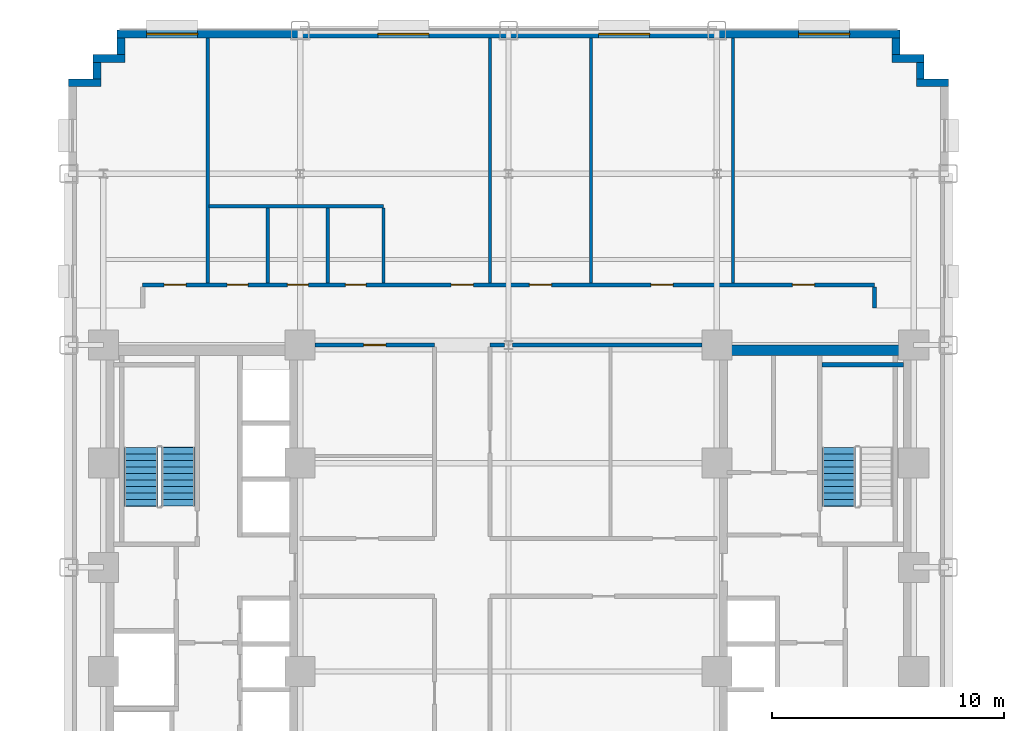
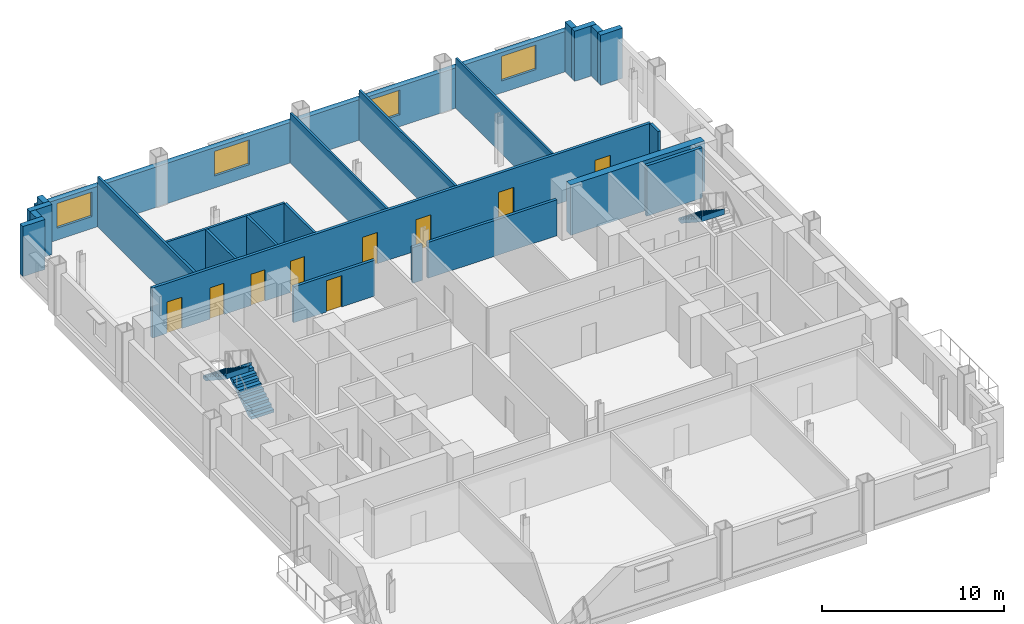
# One storey, part 7 of 12: 24 walls, 9 doors, 4 windows, 3 stair flights, 13 openings, 2 elements without a shape of their own.
"""IFC4 building model written with IfcOpenShell, lengths in metres."""

from ifc_helpers import new_model, si_unit, direction, frame, frame_2d, origin, place, context, subcontext, project, spatial, polyline, rectangle, outline, extrude, source, transform, mapped, material, layer, layer_set, type_object, type_shapes, element, fill, aggregate, save


model = new_model("IFC4")

# Units and contexts
model_context = context("Model", 3, precision=1e-05, world=origin(), true_north=direction((0.0, 1.0)))
body_context = subcontext(model_context, "Body", "Model", "MODEL_VIEW")
ifc_project = project(units=[si_unit("LENGTHUNIT", "METRE"), si_unit("AREAUNIT", "SQUARE_METRE"), si_unit("VOLUMEUNIT", "CUBIC_METRE"), si_unit("PLANEANGLEUNIT", "RADIAN"), si_unit("MASSUNIT", "GRAM", prefix="KILO")], contexts=[model_context])

# Site, building, storey
site_placement = place(None, origin())
site = spatial("IfcSite", under=ifc_project, at=site_placement, CompositionType="ELEMENT")
building_placement = place(site_placement, origin())
building = spatial("IfcBuilding", under=site, at=building_placement, Name="Nuvemarco Arch Tower", CompositionType="ELEMENT")
storey_placement = place(building_placement, frame((0.0, 0.0, 45.85009765625)))
storey = spatial("IfcBuildingStorey", under=building, at=storey_placement, Name="L11", CompositionType="ELEMENT", Elevation=45.85009765625)

# Walls
ifc_material_1 = material(Name="Precast concrete C45/55", Category="concrete")
ifc_layer_1 = layer(ifc_material_1, 0.340087890625, Name="EW-LOW-340")
ifc_layer_set_1 = layer_set([ifc_layer_1], Name="Precast concrete C45/55")
wall_type_1 = type_object("IfcWallType", Name="EW-LOW-340", PredefinedType="STANDARD", material=ifc_layer_set_1)
wall_1_placement = place(storey_placement, frame((17.610107421875, 20.929931640625, 0.0), z_axis=(0.0, 0.0, 1.0), x_axis=(1.0, 0.0, 0.0)))
element("IfcWall", 1, at=wall_1_placement, inside=storey, type_object=wall_type_1, Name="L11 exterior precast facade wall 7", PredefinedType="STANDARD", context=body_context, shape_type="SweptSolid", body=[
    extrude(rectangle(XDim=1.389892578125, YDim=0.340087890625, at=frame_2d((0.69482421875, 0.0))), origin(), (0.0, 0.0, 1.0), 3.35986328125),
])
wall_2_placement = place(storey_placement, frame((17.780029296875, 21.095947265625, 0.0), z_axis=(0.0, 0.0, 1.0), x_axis=(0.0, 1.0, 0.0)))
element("IfcWall", 2, at=wall_2_placement, inside=storey, type_object=wall_type_1, Name="L11 exterior precast facade wall 8", PredefinedType="STANDARD", context=body_context, shape_type="SweptSolid", body=[
    extrude(rectangle(XDim=0.718017578125, YDim=0.340087890625, at=frame_2d((0.35888671875, 0.0))), origin(), (0.0, 0.0, 1.0), 3.35986328125),
])
wall_3_placement = place(storey_placement, frame((16.56005859375, 21.97998046875, 0.0), z_axis=(0.0, 0.0, 1.0), x_axis=(1.0, 0.0, 0.0)))
element("IfcWall", 3, at=wall_3_placement, inside=storey, type_object=wall_type_1, Name="L11 exterior precast facade wall 9", PredefinedType="STANDARD", context=body_context, shape_type="SweptSolid", body=[
    extrude(rectangle(XDim=1.389892578125, YDim=0.340087890625, at=frame_2d((0.69482421875, 0.0))), origin(), (0.0, 0.0, 1.0), 3.35986328125),
])
wall_4_placement = place(storey_placement, frame((16.72998046875, 22.14599609375, 0.0), z_axis=(0.0, 0.0, 1.0), x_axis=(0.0, 1.0, 0.0)))
element("IfcWall", 4, at=wall_4_placement, inside=storey, type_object=wall_type_1, Name="L11 exterior precast facade wall 10", PredefinedType="STANDARD", context=body_context, shape_type="SweptSolid", body=[
    extrude(rectangle(XDim=0.718017578125, YDim=0.340087890625, at=frame_2d((0.35888671875, 0.0))), origin(), (0.0, 0.0, 1.0), 3.35986328125),
])

# Wall, openings, windows
wall_5_placement = place(storey_placement, frame((-16.89990234375, 23.030029296875, 0.0), z_axis=(0.0, 0.0, 1.0), x_axis=(1.0, 0.0, 0.0)))
wall_5 = element("IfcWall", 5, at=wall_5_placement, inside=storey, type_object=wall_type_1, Name="L11 exterior precast facade wall 11", PredefinedType="STANDARD", context=body_context, shape_type="SweptSolid", body=[
    extrude(rectangle(XDim=33.7998046875, YDim=0.340087890625, at=frame_2d((16.89990234375, 0.0))), origin(), (0.0, 0.0, 1.0), 2.704833984375),
])
opening_1_placement = place(wall_5_placement, frame((1.271484375, 0.0, 0.800048828125)))
opening_1 = element("IfcOpeningElement", 6, at=opening_1_placement, cuts=wall_5, Name="Opening WN-3", PredefinedType="OPENING", context=body_context, shape_type="SweptSolid", body=[
    extrude(rectangle(XDim=2.199951171875, YDim=1.64990234375, at=frame_2d((1.10009765625, 0.824951171875))), frame((0.0, 0.179931640625, 0.0), z_axis=(0.0, -1.0, 0.0), x_axis=(1.0, 0.0, 0.0)), (0.0, 0.0, 1.0), 0.360107421875),
])
opening_2_placement = place(wall_5_placement, frame((11.257080078125, 0.0, 0.800048828125)))
opening_2 = element("IfcOpeningElement", 7, at=opening_2_placement, cuts=wall_5, Name="Opening WN-3", PredefinedType="OPENING", context=body_context, shape_type="SweptSolid", body=[
    extrude(rectangle(XDim=2.199951171875, YDim=1.64990234375, at=frame_2d((1.10009765625, 0.824951171875))), frame((0.0, 0.179931640625, 0.0), z_axis=(0.0, -1.0, 0.0), x_axis=(1.0, 0.0, 0.0)), (0.0, 0.0, 1.0), 0.360107421875),
])
opening_3_placement = place(wall_5_placement, frame((20.79296875, 0.0, 0.800048828125)))
opening_3 = element("IfcOpeningElement", 8, at=opening_3_placement, cuts=wall_5, Name="Opening WN-3", PredefinedType="OPENING", context=body_context, shape_type="SweptSolid", body=[
    extrude(rectangle(XDim=2.199951171875, YDim=1.64990234375, at=frame_2d((1.10009765625, 0.824951171875))), frame((0.0, 0.179931640625, 0.0), z_axis=(0.0, -1.0, 0.0), x_axis=(1.0, 0.0, 0.0)), (0.0, 0.0, 1.0), 0.360107421875),
])
opening_4_placement = place(wall_5_placement, frame((29.4287109375, 0.0, 0.800048828125)))
opening_4 = element("IfcOpeningElement", 9, at=opening_4_placement, cuts=wall_5, Name="Opening WN-3", PredefinedType="OPENING", context=body_context, shape_type="SweptSolid", body=[
    extrude(rectangle(XDim=2.199951171875, YDim=1.64990234375, at=frame_2d((1.10009765625, 0.824951171875))), frame((0.0, 0.179931640625, 0.0), z_axis=(0.0, -1.0, 0.0), x_axis=(1.0, 0.0, 0.0)), (0.0, 0.0, 1.0), 0.360107421875),
])
ifc_material_2 = material(Name="Insulated solar-control glass", Category="glass")
window_type = type_object("IfcWindowType", Name="WN-LOW-2200x1650", PartitioningType="DOUBLE_PANEL_VERTICAL", PredefinedType="WINDOW", material=ifc_material_2)
shared_shape_1 = source(origin(), body_context, "Body", "SweptSolid", [
    extrude(rectangle(XDim=2.199951171875, YDim=1.64990234375, at=frame_2d((1.10009765625, 0.824951171875))), frame((0.0, 0.030029296875, 0.0), z_axis=(0.0, -1.0, 0.0), x_axis=(1.0, 0.0, 0.0)), (0.0, 0.0, 1.0), 0.06005859375),
])
type_shapes(window_type, [shared_shape_1])
window_1_placement = place(opening_1_placement, origin())
window_1 = element("IfcWindow", 10, at=window_1_placement, inside=storey, type_object=window_type, Name="L11 punched facade window 1", OverallHeight=1.64990234375, OverallWidth=2.199951171875, PartitioningType="SINGLE_PANEL", PredefinedType="WINDOW", context=body_context, shape_type="MappedRepresentation", body=[
    mapped(shared_shape_1, transform((0.0, 0.0, 0.0), scale=1.0)),
])
fill(opening_1, window_1)
window_2_placement = place(opening_2_placement, origin())
window_2 = element("IfcWindow", 11, at=window_2_placement, inside=storey, type_object=window_type, Name="L11 punched facade window 3", OverallHeight=1.64990234375, OverallWidth=2.199951171875, PartitioningType="SINGLE_PANEL", PredefinedType="WINDOW", context=body_context, shape_type="MappedRepresentation", body=[
    mapped(shared_shape_1, transform((0.0, 0.0, 0.0), scale=1.0)),
])
fill(opening_2, window_2)
window_3_placement = place(opening_3_placement, origin())
window_3 = element("IfcWindow", 12, at=window_3_placement, inside=storey, type_object=window_type, Name="L11 punched facade window 5", OverallHeight=1.64990234375, OverallWidth=2.199951171875, PartitioningType="SINGLE_PANEL", PredefinedType="WINDOW", context=body_context, shape_type="MappedRepresentation", body=[
    mapped(shared_shape_1, transform((0.0, 0.0, 0.0), scale=1.0)),
])
fill(opening_3, window_3)
window_4_placement = place(opening_4_placement, origin())
window_4 = element("IfcWindow", 13, at=window_4_placement, inside=storey, type_object=window_type, Name="L11 punched facade window 7", OverallHeight=1.64990234375, OverallWidth=2.199951171875, PartitioningType="SINGLE_PANEL", PredefinedType="WINDOW", context=body_context, shape_type="MappedRepresentation", body=[
    mapped(shared_shape_1, transform((0.0, 0.0, 0.0), scale=1.0)),
])
fill(opening_4, window_4)

# Walls
wall_6_placement = place(storey_placement, frame((-16.72998046875, 22.14599609375, 0.0), z_axis=(0.0, 0.0, 1.0), x_axis=(0.0, 1.0, 0.0)))
element("IfcWall", 14, at=wall_6_placement, inside=storey, type_object=wall_type_1, Name="L11 exterior precast facade wall 12", PredefinedType="STANDARD", context=body_context, shape_type="SweptSolid", body=[
    extrude(rectangle(XDim=0.718017578125, YDim=0.340087890625, at=frame_2d((0.35888671875, 0.0))), origin(), (0.0, 0.0, 1.0), 3.35986328125),
])
wall_7_placement = place(storey_placement, frame((-17.949951171875, 21.97998046875, 0.0), z_axis=(0.0, 0.0, 1.0), x_axis=(1.0, 0.0, 0.0)))
element("IfcWall", 15, at=wall_7_placement, inside=storey, type_object=wall_type_1, Name="L11 exterior precast facade wall 13", PredefinedType="STANDARD", context=body_context, shape_type="SweptSolid", body=[
    extrude(rectangle(XDim=1.389892578125, YDim=0.340087890625, at=frame_2d((0.69482421875, 0.0))), origin(), (0.0, 0.0, 1.0), 3.35986328125),
])
wall_8_placement = place(storey_placement, frame((-17.780029296875, 21.095947265625, 0.0), z_axis=(0.0, 0.0, 1.0), x_axis=(0.0, 1.0, 0.0)))
element("IfcWall", 16, at=wall_8_placement, inside=storey, type_object=wall_type_1, Name="L11 exterior precast facade wall 14", PredefinedType="STANDARD", context=body_context, shape_type="SweptSolid", body=[
    extrude(rectangle(XDim=0.718017578125, YDim=0.340087890625, at=frame_2d((0.35888671875, 0.0))), origin(), (0.0, 0.0, 1.0), 3.35986328125),
])
wall_9_placement = place(storey_placement, frame((-19.0, 20.929931640625, 0.0), z_axis=(0.0, 0.0, 1.0), x_axis=(1.0, 0.0, 0.0)))
element("IfcWall", 17, at=wall_9_placement, inside=storey, type_object=wall_type_1, Name="L11 exterior precast facade wall 15", PredefinedType="STANDARD", context=body_context, shape_type="SweptSolid", body=[
    extrude(rectangle(XDim=1.389892578125, YDim=0.340087890625, at=frame_2d((0.69482421875, 0.0))), origin(), (0.0, 0.0, 1.0), 3.35986328125),
])
ifc_material_3 = material(Name="Concrete C60/75", Category="concrete")
ifc_layer_2 = layer(ifc_material_3, 0.449951171875, Name="WL-CORE-450")
ifc_layer_set_2 = layer_set([ifc_layer_2], Name="Concrete C60/75")
wall_type_2 = type_object("IfcWallType", Name="WL-CORE-450", PredefinedType="SHEAR", material=ifc_layer_set_2)
wall_10_placement = place(storey_placement, frame((9.0, 9.375, 0.0), z_axis=(0.0, 0.0, 1.0), x_axis=(1.0, 0.0, 0.0)))
element("IfcWall", 18, at=wall_10_placement, inside=storey, type_object=wall_type_2, Name="L11 E-core shear wall N", PredefinedType="SHEAR", context=body_context, shape_type="SweptSolid", body=[
    extrude(rectangle(XDim=8.5, YDim=0.449951171875, at=frame_2d((4.25, 0.0))), origin(), (0.0, 0.0, 1.0), 3.369873046875),
])

# Wall, opening, door
ifc_material_4 = material(Name="Fire-rated gypsum drywall partition")
ifc_layer_3 = layer(ifc_material_4, 0.179931640625, Name="WL-CORR-180")
ifc_layer_set_3 = layer_set([ifc_layer_3], Name="Fire-rated gypsum drywall partition")
wall_type_3 = type_object("IfcWallType", Name="WL-CORR-180", PredefinedType="PARTITIONING", material=ifc_layer_set_3)
wall_11_placement = place(storey_placement, frame((-8.35400390625, 9.60009765625, 0.0), z_axis=(0.0, 0.0, 1.0), x_axis=(1.0, 0.0, 0.0)))
wall_11 = element("IfcWall", 19, at=wall_11_placement, inside=storey, type_object=wall_type_3, Name="L11 interior wall IW-L11-010", PredefinedType="PARTITIONING", context=body_context, shape_type="SweptSolid", body=[
    extrude(rectangle(XDim=5.154052734375, YDim=0.179931640625, at=frame_2d((2.5771484375, 0.0))), origin(), (0.0, 0.0, 1.0), 2.40478515625),
])
opening_5_placement = place(wall_11_placement, frame((2.096923828125, 0.0, 0.0)))
opening_5 = element("IfcOpeningElement", 20, at=opening_5_placement, cuts=wall_11, Name="Opening FD-5", PredefinedType="OPENING", context=body_context, shape_type="SweptSolid", body=[
    extrude(rectangle(XDim=0.9599609375, YDim=2.10009765625, at=frame_2d((0.47998046875, 1.050048828125))), frame((0.0, 0.099853515625, 0.0), z_axis=(0.0, -1.0, 0.0), x_axis=(1.0, 0.0, 0.0)), (0.0, 0.0, 1.0), 0.199951171875),
])
ifc_material_5 = material(Name="Timber fire door", Category="wood")
door_type_1 = type_object("IfcDoorType", Name="DR-CORR-FD", OperationType="NOTDEFINED", PredefinedType="DOOR", material=ifc_material_5)
shared_shape_2 = source(origin(), body_context, "Body", "SweptSolid", [
    extrude(rectangle(XDim=0.9599609375, YDim=2.10009765625, at=frame_2d((0.47998046875, 1.050048828125))), frame((0.0, 0.02490234375, 0.0), z_axis=(0.0, -1.0, 0.0), x_axis=(1.0, 0.0, 0.0)), (0.0, 0.0, 1.0), 0.050048828125),
])
type_shapes(door_type_1, [shared_shape_2])
door_1_placement = place(opening_5_placement, origin())
door_1 = element("IfcDoor", 21, at=door_1_placement, inside=storey, type_object=door_type_1, Name="L11 door DR-L11-C_NW2", OperationType="SINGLE_SWING_LEFT", OverallHeight=2.10009765625, OverallWidth=0.9599609375, PredefinedType="DOOR", context=body_context, shape_type="MappedRepresentation", body=[
    mapped(shared_shape_2, transform((0.0, 0.0, 0.0), scale=1.0)),
])
fill(opening_5, door_1)

# Walls
wall_12_placement = place(storey_placement, frame((-0.800048828125, 9.60009765625, 0.0), z_axis=(0.0, 0.0, 1.0), x_axis=(1.0, 0.0, 0.0)))
element("IfcWall", 22, at=wall_12_placement, inside=storey, type_object=wall_type_3, Name="L11 interior wall IW-L11-011", PredefinedType="PARTITIONING", context=body_context, shape_type="SweptSolid", body=[
    extrude(rectangle(XDim=0.6240234375, YDim=0.179931640625, at=frame_2d((0.31201171875, 0.0))), origin(), (0.0, 0.0, 1.0), 2.40478515625),
])
wall_13_placement = place(storey_placement, frame((0.176025390625, 9.60009765625, 0.0), z_axis=(0.0, 0.0, 1.0), x_axis=(1.0, 0.0, 0.0)))
element("IfcWall", 23, at=wall_13_placement, inside=storey, type_object=wall_type_3, Name="L11 interior wall IW-L11-012", PredefinedType="PARTITIONING", context=body_context, shape_type="SweptSolid", body=[
    extrude(rectangle(XDim=8.177978515625, YDim=0.179931640625, at=frame_2d((4.0888671875, 0.0))), origin(), (0.0, 0.0, 1.0), 2.40478515625),
])

# Wall, openings, doors
wall_14_placement = place(storey_placement, frame((-15.800048828125, 12.199951171875, 0.0), z_axis=(0.0, 0.0, 1.0), x_axis=(1.0, 0.0, 0.0)))
wall_14 = element("IfcWall", 24, at=wall_14_placement, inside=storey, type_object=wall_type_3, Name="L11 interior wall IW-L11-013", PredefinedType="PARTITIONING", context=body_context, shape_type="SweptSolid", body=[
    extrude(rectangle(XDim=31.60009765625, YDim=0.179931640625, at=frame_2d((15.800048828125, 0.0))), origin(), (0.0, 0.0, 1.0), 3.35986328125),
])
opening_6_placement = place(wall_14_placement, frame((21.945068359375, 0.0, 0.0)))
opening_6 = element("IfcOpeningElement", 25, at=opening_6_placement, cuts=wall_14, Name="Opening FD-5", PredefinedType="OPENING", context=body_context, shape_type="SweptSolid", body=[
    extrude(rectangle(XDim=0.9599609375, YDim=2.10009765625, at=frame_2d((0.47998046875, 1.050048828125))), frame((0.0, 0.099853515625, 0.0), z_axis=(0.0, -1.0, 0.0), x_axis=(1.0, 0.0, 0.0)), (0.0, 0.0, 1.0), 0.199951171875),
])
opening_7_placement = place(wall_14_placement, frame((28.06494140625, 0.0, 0.0)))
opening_7 = element("IfcOpeningElement", 26, at=opening_7_placement, cuts=wall_14, Name="Opening FD-5", PredefinedType="OPENING", context=body_context, shape_type="SweptSolid", body=[
    extrude(rectangle(XDim=0.9599609375, YDim=2.10009765625, at=frame_2d((0.47998046875, 1.050048828125))), frame((0.0, 0.099853515625, 0.0), z_axis=(0.0, -1.0, 0.0), x_axis=(1.0, 0.0, 0.0)), (0.0, 0.0, 1.0), 0.199951171875),
])
opening_8_placement = place(wall_14_placement, frame((16.699951171875, 0.0, 0.0)))
opening_8 = element("IfcOpeningElement", 27, at=opening_8_placement, cuts=wall_14, Name="Opening FD-5", PredefinedType="OPENING", context=body_context, shape_type="SweptSolid", body=[
    extrude(rectangle(XDim=0.9599609375, YDim=2.10009765625, at=frame_2d((0.47998046875, 1.050048828125))), frame((0.0, 0.099853515625, 0.0), z_axis=(0.0, -1.0, 0.0), x_axis=(1.0, 0.0, 0.0)), (0.0, 0.0, 1.0), 0.199951171875),
])
opening_9_placement = place(wall_14_placement, frame((0.919921875, 0.0, 0.0)))
opening_9 = element("IfcOpeningElement", 28, at=opening_9_placement, cuts=wall_14, Name="Opening FD-5", PredefinedType="OPENING", context=body_context, shape_type="SweptSolid", body=[
    extrude(rectangle(XDim=0.9599609375, YDim=2.10009765625, at=frame_2d((0.47998046875, 1.050048828125))), frame((0.0, 0.099853515625, 0.0), z_axis=(0.0, -1.0, 0.0), x_axis=(1.0, 0.0, 0.0)), (0.0, 0.0, 1.0), 0.199951171875),
])
opening_10_placement = place(wall_14_placement, frame((6.25, 0.0, 0.0)))
opening_10 = element("IfcOpeningElement", 29, at=opening_10_placement, cuts=wall_14, Name="Opening ID-3", PredefinedType="OPENING", context=body_context, shape_type="SweptSolid", body=[
    extrude(rectangle(XDim=0.89990234375, YDim=2.10009765625, at=frame_2d((0.449951171875, 1.050048828125))), frame((0.0, 0.099853515625, 0.0), z_axis=(0.0, -1.0, 0.0), x_axis=(1.0, 0.0, 0.0)), (0.0, 0.0, 1.0), 0.199951171875),
])
opening_11_placement = place(wall_14_placement, frame((3.64990234375, 0.0, 0.0)))
opening_11 = element("IfcOpeningElement", 30, at=opening_11_placement, cuts=wall_14, Name="Opening ID-3", PredefinedType="OPENING", context=body_context, shape_type="SweptSolid", body=[
    extrude(rectangle(XDim=0.89990234375, YDim=2.10009765625, at=frame_2d((0.449951171875, 1.050048828125))), frame((0.0, 0.099853515625, 0.0), z_axis=(0.0, -1.0, 0.0), x_axis=(1.0, 0.0, 0.0)), (0.0, 0.0, 1.0), 0.199951171875),
])
opening_12_placement = place(wall_14_placement, frame((13.320068359375, 0.0, 0.0)))
opening_12 = element("IfcOpeningElement", 31, at=opening_12_placement, cuts=wall_14, Name="Opening FD-5", PredefinedType="OPENING", context=body_context, shape_type="SweptSolid", body=[
    extrude(rectangle(XDim=0.9599609375, YDim=2.10009765625, at=frame_2d((0.47998046875, 1.050048828125))), frame((0.0, 0.099853515625, 0.0), z_axis=(0.0, -1.0, 0.0), x_axis=(1.0, 0.0, 0.0)), (0.0, 0.0, 1.0), 0.199951171875),
])
opening_13_placement = place(wall_14_placement, frame((8.75, 0.0, 0.0)))
opening_13 = element("IfcOpeningElement", 32, at=opening_13_placement, cuts=wall_14, Name="Opening ID-3", PredefinedType="OPENING", context=body_context, shape_type="SweptSolid", body=[
    extrude(rectangle(XDim=0.89990234375, YDim=2.10009765625, at=frame_2d((0.449951171875, 1.050048828125))), frame((0.0, 0.099853515625, 0.0), z_axis=(0.0, -1.0, 0.0), x_axis=(1.0, 0.0, 0.0)), (0.0, 0.0, 1.0), 0.199951171875),
])
door_2_placement = place(opening_6_placement, origin())
door_2 = element("IfcDoor", 33, at=door_2_placement, inside=storey, type_object=door_type_1, Name="L11 door DR-L11-N_4", OperationType="SINGLE_SWING_LEFT", OverallHeight=2.10009765625, OverallWidth=0.9599609375, PredefinedType="DOOR", context=body_context, shape_type="MappedRepresentation", body=[
    mapped(shared_shape_2, transform((0.0, 0.0, 0.0), scale=1.0)),
])
fill(opening_6, door_2)
door_3_placement = place(opening_7_placement, origin())
door_3 = element("IfcDoor", 34, at=door_3_placement, inside=storey, type_object=door_type_1, Name="L11 door DR-L11-N_5", OperationType="SINGLE_SWING_RIGHT", OverallHeight=2.10009765625, OverallWidth=0.9599609375, PredefinedType="DOOR", context=body_context, shape_type="MappedRepresentation", body=[
    mapped(shared_shape_2, transform((0.0, 0.0, 0.0), scale=1.0)),
])
fill(opening_7, door_3)
door_4_placement = place(opening_8_placement, origin())
door_4 = element("IfcDoor", 35, at=door_4_placement, inside=storey, type_object=door_type_1, Name="L11 door DR-L11-N_3", OperationType="SINGLE_SWING_LEFT", OverallHeight=2.10009765625, OverallWidth=0.9599609375, PredefinedType="DOOR", context=body_context, shape_type="MappedRepresentation", body=[
    mapped(shared_shape_2, transform((0.0, 0.0, 0.0), scale=1.0)),
])
fill(opening_8, door_4)
door_5_placement = place(opening_9_placement, origin())
door_5 = element("IfcDoor", 36, at=door_5_placement, inside=storey, type_object=door_type_1, Name="L11 door DR-L11-N_1", OperationType="SINGLE_SWING_RIGHT", OverallHeight=2.10009765625, OverallWidth=0.9599609375, PredefinedType="DOOR", context=body_context, shape_type="MappedRepresentation", body=[
    mapped(shared_shape_2, transform((0.0, 0.0, 0.0), scale=1.0)),
])
fill(opening_9, door_5)
door_6_placement = place(opening_12_placement, origin())
door_6 = element("IfcDoor", 37, at=door_6_placement, inside=storey, type_object=door_type_1, Name="L11 door DR-L11-N_2", OperationType="SINGLE_SWING_LEFT", OverallHeight=2.10009765625, OverallWidth=0.9599609375, PredefinedType="DOOR", context=body_context, shape_type="MappedRepresentation", body=[
    mapped(shared_shape_2, transform((0.0, 0.0, 0.0), scale=1.0)),
])
fill(opening_12, door_6)
ifc_material_6 = material(Name="Veneered oak timber fire door", Category="wood")
door_type_2 = type_object("IfcDoorType", Name="DR-WC-ACC", OperationType="NOTDEFINED", PredefinedType="DOOR", material=ifc_material_6)
shared_shape_3 = source(origin(), body_context, "Body", "SweptSolid", [
    extrude(rectangle(XDim=0.89990234375, YDim=2.10009765625, at=frame_2d((0.449951171875, 1.050048828125))), frame((0.0, 0.02490234375, 0.0), z_axis=(0.0, -1.0, 0.0), x_axis=(1.0, 0.0, 0.0)), (0.0, 0.0, 1.0), 0.050048828125),
])
type_shapes(door_type_2, [shared_shape_3])
door_7_placement = place(opening_10_placement, origin())
door_7 = element("IfcDoor", 38, at=door_7_placement, inside=storey, type_object=door_type_2, Name="L11 door DR-L11-WC_F", OperationType="SINGLE_SWING_LEFT", OverallHeight=2.10009765625, OverallWidth=0.89990234375, PredefinedType="DOOR", context=body_context, shape_type="MappedRepresentation", body=[
    mapped(shared_shape_3, transform((0.0, 0.0, 0.0), scale=1.0)),
])
fill(opening_10, door_7)
door_8_placement = place(opening_11_placement, origin())
door_8 = element("IfcDoor", 39, at=door_8_placement, inside=storey, type_object=door_type_2, Name="L11 door DR-L11-WC_M", OperationType="SINGLE_SWING_RIGHT", OverallHeight=2.10009765625, OverallWidth=0.89990234375, PredefinedType="DOOR", context=body_context, shape_type="MappedRepresentation", body=[
    mapped(shared_shape_3, transform((0.0, 0.0, 0.0), scale=1.0)),
])
fill(opening_11, door_8)
door_9_placement = place(opening_13_placement, origin())
door_9 = element("IfcDoor", 40, at=door_9_placement, inside=storey, type_object=door_type_2, Name="L11 door DR-L11-WC_ACC", OperationType="SINGLE_SWING_RIGHT", OverallHeight=2.10009765625, OverallWidth=0.89990234375, PredefinedType="DOOR", context=body_context, shape_type="MappedRepresentation", body=[
    mapped(shared_shape_3, transform((0.0, 0.0, 0.0), scale=1.0)),
])
fill(opening_13, door_9)

# Walls
wall_15_placement = place(storey_placement, frame((15.800048828125, 11.199951171875, 0.0), z_axis=(0.0, 0.0, 1.0), x_axis=(0.0, 1.0, 0.0)))
element("IfcWall", 41, at=wall_15_placement, inside=storey, type_object=wall_type_3, Name="L11 interior wall IW-L11-034", PredefinedType="PARTITIONING", context=body_context, shape_type="SweptSolid", body=[
    extrude(rectangle(XDim=0.9140625, YDim=0.179931640625, at=frame_2d((0.45703125, 0.0))), origin(), (0.0, 0.0, 1.0), 3.35986328125),
])
ifc_material_7 = material(Name="Glazed acoustic office partition")
ifc_layer_4 = layer(ifc_material_7, 0.1298828125, Name="WL-EXEC-130")
ifc_layer_set_4 = layer_set([ifc_layer_4], Name="Glazed acoustic office partition")
wall_type_4 = type_object("IfcWallType", Name="WL-EXEC-130", PredefinedType="PARTITIONING", material=ifc_layer_set_4)
for number, where, z_axis, x_axis, name in (
    (42, (-0.800048828125, 12.285888671875, 0.0), (0.0, 0.0, 1.0), (0.0, 1.0, 0.0), "L11 interior wall IW-L11-027"),
    (43, (9.68994140625, 12.285888671875, 0.0), (0.0, 0.0, 1.0), (0.0, 1.0, 0.0), "L11 interior wall IW-L11-031"),
):
    element("IfcWall", number, at=place(storey_placement, frame(where, z_axis=z_axis, x_axis=x_axis)), inside=storey, type_object=wall_type_4, Name=name, PredefinedType="PARTITIONING", context=body_context, shape_type="SweptSolid", body=[
        extrude(rectangle(XDim=10.57421875, YDim=0.1298828125, at=frame_2d((5.287109375, 0.0))), origin(), (0.0, 0.0, 1.0), 3.35986328125),
    ])
ifc_material_8 = material(Name="Gypsum plasterboard partition")
ifc_layer_5 = layer(ifc_material_8, 0.139892578125, Name="WL-ROOM-140")
ifc_layer_set_5 = layer_set([ifc_layer_5], Name="Gypsum plasterboard partition")
wall_type_5 = type_object("IfcWallType", Name="WL-ROOM-140", PredefinedType="PARTITIONING", material=ifc_layer_set_5)
wall_16_placement = place(storey_placement, frame((3.56005859375, 12.285888671875, 0.0), z_axis=(0.0, 0.0, 1.0), x_axis=(0.0, 1.0, 0.0)))
element("IfcWall", 44, at=wall_16_placement, inside=storey, type_object=wall_type_5, Name="L11 interior wall IW-L11-028", PredefinedType="PARTITIONING", context=body_context, shape_type="SweptSolid", body=[
    extrude(rectangle(XDim=10.57421875, YDim=0.139892578125, at=frame_2d((5.287109375, 0.0))), origin(), (0.0, 0.0, 1.0), 3.35986328125),
])
ifc_material_9 = material(Name="Concrete C50/60", Category="concrete")
ifc_layer_6 = layer(ifc_material_9, 0.199951171875, Name="WL-SHAFT-220")
ifc_layer_set_6 = layer_set([ifc_layer_6], Name="Concrete C50/60")
wall_type_6 = type_object("IfcWallType", Name="WL-SHAFT-220", PredefinedType="SHEAR", material=ifc_layer_set_6)
wall_17_placement = place(storey_placement, frame((13.534912109375, 8.75, 0.0), z_axis=(0.0, 0.0, 1.0), x_axis=(1.0, 0.0, 0.0)))
element("IfcWall", 45, at=wall_17_placement, inside=storey, type_object=wall_type_6, Name="L11 structural shaft wall SW-L11-E-ST2N", PredefinedType="SHEAR", context=body_context, shape_type="SweptSolid", body=[
    extrude(rectangle(XDim=3.52001953125, YDim=0.199951171875, at=frame_2d((1.760009765625, 0.0))), origin(), (0.0, 0.0, 1.0), 3.369873046875),
])
ifc_material_10 = material(Name="Moisture-resistant gypsum partition")
ifc_layer_7 = layer(ifc_material_10, 0.14990234375, Name="WL-WET-150")
ifc_layer_set_7 = layer_set([ifc_layer_7], Name="Moisture-resistant gypsum partition")
wall_type_7 = type_object("IfcWallType", Name="WL-WET-150", PredefinedType="PARTITIONING", material=ifc_layer_set_7)
wall_18_placement = place(storey_placement, frame((-12.928955078125, 15.60009765625, 0.0), z_axis=(0.0, 0.0, 1.0), x_axis=(1.0, 0.0, 0.0)))
element("IfcWall", 46, at=wall_18_placement, inside=storey, type_object=wall_type_7, Name="L11 interior wall IW-L11-014", PredefinedType="PARTITIONING", context=body_context, shape_type="SweptSolid", body=[
    extrude(rectangle(XDim=7.529052734375, YDim=0.14990234375, at=frame_2d((3.7646484375, 0.0))), origin(), (0.0, 0.0, 1.0), 3.35986328125),
])
wall_19_placement = place(storey_placement, frame((-13.0, 12.285888671875, 0.0), z_axis=(0.0, 0.0, 1.0), x_axis=(0.0, 1.0, 0.0)))
element("IfcWall", 47, at=wall_19_placement, inside=storey, type_object=wall_type_7, Name="L11 interior wall IW-L11-017", PredefinedType="PARTITIONING", context=body_context, shape_type="SweptSolid", body=[
    extrude(rectangle(XDim=10.57421875, YDim=0.14990234375, at=frame_2d((5.287109375, 0.0))), origin(), (0.0, 0.0, 1.0), 3.35986328125),
])
for number, where, z_axis, x_axis, name in (
    (48, (-10.39990234375, 12.285888671875, 0.0), (0.0, 0.0, 1.0), (0.0, 1.0, 0.0), "L11 interior wall IW-L11-019"),
    (49, (-7.800048828125, 12.285888671875, 0.0), (0.0, 0.0, 1.0), (0.0, 1.0, 0.0), "L11 interior wall IW-L11-020"),
    (50, (-5.39990234375, 12.285888671875, 0.0), (0.0, 0.0, 1.0), (0.0, 1.0, 0.0), "L11 interior wall IW-L11-021"),
):
    element("IfcWall", number, at=place(storey_placement, frame(where, z_axis=z_axis, x_axis=x_axis)), inside=storey, type_object=wall_type_7, Name=name, PredefinedType="PARTITIONING", context=body_context, shape_type="SweptSolid", body=[
        extrude(rectangle(XDim=3.2431640625, YDim=0.14990234375, at=frame_2d((1.62158203125, 0.0))), origin(), (0.0, 0.0, 1.0), 3.35986328125),
    ])

# Stair, stair flights
stair_type = type_object("IfcStairType", Name="ST-CORE-20R", PredefinedType="HALF_TURN_STAIR", material=ifc_material_1)
stair_1_placement = place(storey_placement, origin())
stair_1 = element("IfcStair", 51, at=stair_1_placement, inside=storey, type_object=stair_type, Name="L11 Protected Exit Stair ST-1", PredefinedType="HALF_TURN_STAIR")
stair_flight_type = type_object("IfcStairFlightType", Name="SF-CORE-20R", PredefinedType="STRAIGHT", material=ifc_material_1)
stair_flight_1_placement = place(storey_placement, frame((-14.264892578125, 2.64990234375, 0.0), z_axis=(0.0, 0.0, 1.0), x_axis=(0.0, 1.0, 0.0)))
stair_flight_1 = element("IfcStairFlight", 52, at=stair_flight_1_placement, type_object=stair_flight_type, Name="ST-20R flight 1", NumberOfRisers=10, NumberOfTreads=9, PredefinedType="STRAIGHT", RiserHeight=0.1825, TreadLength=0.28, context=body_context, shape_type="SweptSolid", body=[
    extrude(outline(polyline([(0.0, 0.0), (0.0, 0.1826171875), (0.280029296875, 0.1826171875), (0.280029296875, 0.364990234375), (0.56005859375, 0.364990234375), (0.56005859375, 0.547607421875), (0.840087890625, 0.547607421875), (0.840087890625, 0.72998046875), (1.1201171875, 0.72998046875), (1.1201171875, 0.91259765625), (1.39990234375, 0.91259765625), (1.39990234375, 1.094970703125), (1.679931640625, 1.094970703125), (1.679931640625, 1.277587890625), (1.9599609375, 1.277587890625), (1.9599609375, 1.4599609375), (2.239990234375, 1.4599609375), (2.239990234375, 1.642578125), (2.52001953125, 1.642578125), (2.52001953125, 1.824951171875), (2.5400390625, 1.824951171875), (2.5400390625, 1.45166015625), (0.312744140625, 0.0), (0.0, 0.0)])), frame((0.0, 0.72509765625, 0.0), z_axis=(0.0, -1.0, 0.0), x_axis=(1.0, 0.0, 0.0)), (0.0, 0.0, 1.0), 1.449951171875),
])
stair_flight_2_placement = place(storey_placement, frame((-15.875, 5.169921875, 1.824951171875), z_axis=(0.0, 0.0, 1.0), x_axis=(0.0, -1.0, 0.0)))
stair_flight_2 = element("IfcStairFlight", 53, at=stair_flight_2_placement, type_object=stair_flight_type, Name="ST-20R flight 2", NumberOfRisers=10, NumberOfTreads=9, PredefinedType="STRAIGHT", RiserHeight=0.1825, TreadLength=0.28, context=body_context, shape_type="SweptSolid", body=[
    extrude(outline(polyline([(0.0, 0.0), (0.0, 0.1826171875), (0.280029296875, 0.1826171875), (0.280029296875, 0.364990234375), (0.56005859375, 0.364990234375), (0.56005859375, 0.547607421875), (0.840087890625, 0.547607421875), (0.840087890625, 0.72998046875), (1.1201171875, 0.72998046875), (1.1201171875, 0.91259765625), (1.39990234375, 0.91259765625), (1.39990234375, 1.094970703125), (1.679931640625, 1.094970703125), (1.679931640625, 1.277587890625), (1.9599609375, 1.277587890625), (1.9599609375, 1.4599609375), (2.239990234375, 1.4599609375), (2.239990234375, 1.642578125), (2.52001953125, 1.642578125), (2.52001953125, 1.824951171875), (2.5400390625, 1.824951171875), (2.5400390625, 1.45166015625), (0.312744140625, 0.0), (0.0, 0.0)])), frame((0.0, 0.72509765625, 0.0), z_axis=(0.0, -1.0, 0.0), x_axis=(1.0, 0.0, 0.0)), (0.0, 0.0, 1.0), 1.449951171875),
])
aggregate(stair_1, [stair_flight_1, stair_flight_2])

# Stair, stair flight
stair_2_placement = place(storey_placement, origin())
stair_2 = element("IfcStair", 54, at=stair_2_placement, inside=storey, type_object=stair_type, Name="L11 Protected Exit Stair ST-2", PredefinedType="HALF_TURN_STAIR")
stair_flight_3_placement = place(storey_placement, frame((14.264892578125, 5.169921875, 1.824951171875), z_axis=(0.0, 0.0, 1.0), x_axis=(0.0, -1.0, 0.0)))
stair_flight_3 = element("IfcStairFlight", 55, at=stair_flight_3_placement, type_object=stair_flight_type, Name="ST-20R flight 2", NumberOfRisers=10, NumberOfTreads=9, PredefinedType="STRAIGHT", RiserHeight=0.1825, TreadLength=0.28, context=body_context, shape_type="SweptSolid", body=[
    extrude(outline(polyline([(0.0, 0.0), (0.0, 0.1826171875), (0.280029296875, 0.1826171875), (0.280029296875, 0.364990234375), (0.56005859375, 0.364990234375), (0.56005859375, 0.547607421875), (0.840087890625, 0.547607421875), (0.840087890625, 0.72998046875), (1.1201171875, 0.72998046875), (1.1201171875, 0.91259765625), (1.39990234375, 0.91259765625), (1.39990234375, 1.094970703125), (1.679931640625, 1.094970703125), (1.679931640625, 1.277587890625), (1.9599609375, 1.277587890625), (1.9599609375, 1.4599609375), (2.239990234375, 1.4599609375), (2.239990234375, 1.642578125), (2.52001953125, 1.642578125), (2.52001953125, 1.824951171875), (2.5400390625, 1.824951171875), (2.5400390625, 1.45166015625), (0.312744140625, 0.0), (0.0, 0.0)])), frame((0.0, 0.72509765625, 0.0), z_axis=(0.0, -1.0, 0.0), x_axis=(1.0, 0.0, 0.0)), (0.0, 0.0, 1.0), 1.449951171875),
])
aggregate(stair_2, [stair_flight_3])

save(model, "model.ifc")
